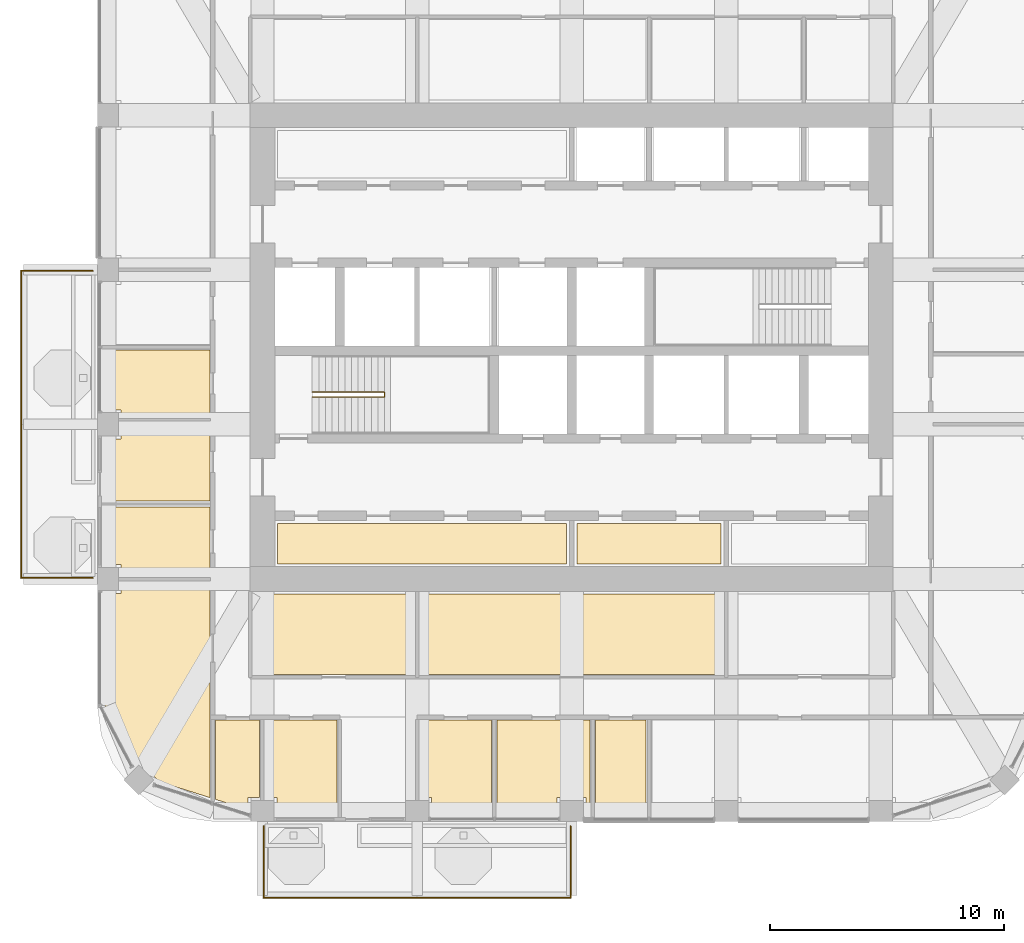
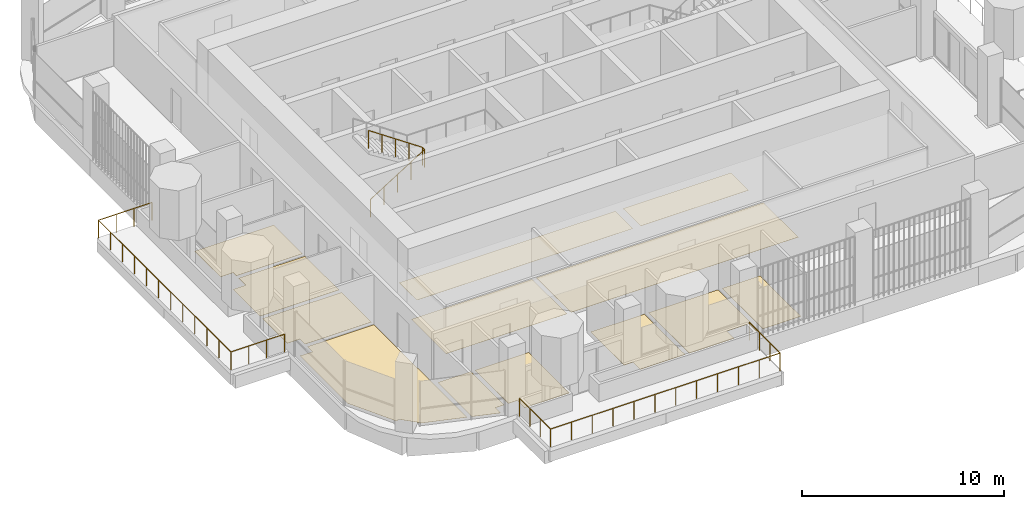
# One storey, part 16 of 19: 13 coverings, 3 railings.
"""IFC4 building model written with IfcOpenShell, lengths in metres."""

from ifc_helpers import new_model, si_unit, direction, frame, origin, place, context, subcontext, project, spatial, polyline, outline, extrude, material, layer, layer_set, type_object, element, save


model = new_model("IFC4")

# Units and contexts
model_context = context("Model", 3, precision=1e-05, world=origin(), true_north=direction((0.0, 1.0)))
body_context = subcontext(model_context, "Body", "Model", "MODEL_VIEW")
ifc_project = project(units=[si_unit("LENGTHUNIT", "METRE"), si_unit("AREAUNIT", "SQUARE_METRE"), si_unit("VOLUMEUNIT", "CUBIC_METRE"), si_unit("PLANEANGLEUNIT", "RADIAN"), si_unit("MASSUNIT", "GRAM", prefix="KILO")], contexts=[model_context])

# Site, building, storey
site_placement = place(None, origin())
site = spatial("IfcSite", under=ifc_project, at=site_placement, CompositionType="ELEMENT")
building_placement = place(site_placement, origin())
building = spatial("IfcBuilding", under=site, at=building_placement, Name="Cobogo Forest Laboratory Tower", CompositionType="ELEMENT")
storey_placement = place(building_placement, frame((0.0, 0.0, 262.800048828125)))
storey = spatial("IfcBuildingStorey", under=building, at=storey_placement, Name="L60", CompositionType="ELEMENT", Elevation=262.800048828125)

# Railings
ifc_material_1 = material(Name="Laminated glass balustrade", Category="glass")
railing_type_1 = type_object("IfcRailingType", Name="BG1 glass balustrade 1100", PredefinedType="GUARDRAIL", material=ifc_material_1)
railing_1_placement = place(storey_placement, frame((13.25, 2.64990234375, 0.0)))
element("IfcRailing", 1, at=railing_1_placement, inside=storey, type_object=railing_type_1, Name="Balcony balustrade BAL-S1 L60", PredefinedType="GUARDRAIL", context=body_context, shape_type="SweptSolid", body=[
    extrude(outline(polyline([(0.022216796875, 0.00927734375), (0.00927734375, 0.022216796875), (-0.00927734375, 0.022216796875), (-0.022216796875, 0.00927734375), (-0.022216796875, -0.00927734375), (-0.00927734375, -0.022216796875), (0.00927734375, -0.022216796875), (0.022216796875, -0.00927734375), (0.022216796875, 0.00927734375)])), frame((0.0, 0.0, 1.077880859375), z_axis=(0.0, -1.0, 0.0), x_axis=(1.0, 0.0, 0.0)), (0.0, 0.0, 1.0), 3.0498046875),
    extrude(outline(polyline([(0.022216796875, 0.00927734375), (0.00927734375, 0.022216796875), (-0.00927734375, 0.022216796875), (-0.022216796875, 0.00927734375), (-0.022216796875, -0.00927734375), (-0.00927734375, -0.022216796875), (0.00927734375, -0.022216796875), (0.022216796875, -0.00927734375), (0.022216796875, 0.00927734375)])), frame((0.0, -3.0498046875, 1.077880859375), z_axis=(1.0, 0.0, 0.0), x_axis=(0.0, 1.0, 0.0)), (0.0, 0.0, 1.0), 13.10009765625),
    extrude(outline(polyline([(0.022216796875, 0.00927734375), (0.00927734375, 0.022216796875), (-0.00927734375, 0.022216796875), (-0.022216796875, 0.00927734375), (-0.022216796875, -0.00927734375), (-0.00927734375, -0.022216796875), (0.00927734375, -0.022216796875), (0.022216796875, -0.00927734375), (0.022216796875, 0.00927734375)])), frame((13.10009765625, -3.0498046875, 1.077880859375), z_axis=(0.0, 1.0, 0.0), x_axis=(-1.0, 0.0, 0.0)), (0.0, 0.0, 1.0), 3.0498046875),
    extrude(outline(polyline([(0.019287109375, 0.008056640625), (0.008056640625, 0.019287109375), (-0.008056640625, 0.019287109375), (-0.019287109375, 0.008056640625), (-0.019287109375, -0.008056640625), (-0.008056640625, -0.019287109375), (0.008056640625, -0.019287109375), (0.019287109375, -0.008056640625), (0.019287109375, 0.008056640625)])), origin(), (0.0, 0.0, 1.0), 1.077880859375),
    extrude(outline(polyline([(0.019287109375, 0.008056640625), (0.008056640625, 0.019287109375), (-0.008056640625, 0.019287109375), (-0.019287109375, 0.008056640625), (-0.019287109375, -0.008056640625), (-0.008056640625, -0.019287109375), (0.008056640625, -0.019287109375), (0.019287109375, -0.008056640625), (0.019287109375, 0.008056640625)])), frame((0.0, -1.0166015625, 0.0)), (0.0, 0.0, 1.0), 1.077880859375),
    extrude(outline(polyline([(0.019287109375, 0.008056640625), (0.008056640625, 0.019287109375), (-0.008056640625, 0.019287109375), (-0.019287109375, 0.008056640625), (-0.019287109375, -0.008056640625), (-0.008056640625, -0.019287109375), (0.008056640625, -0.019287109375), (0.019287109375, -0.008056640625), (0.019287109375, 0.008056640625)])), frame((0.0, -2.033203125, 0.0)), (0.0, 0.0, 1.0), 1.077880859375),
    extrude(outline(polyline([(0.019287109375, 0.008056640625), (0.008056640625, 0.019287109375), (-0.008056640625, 0.019287109375), (-0.019287109375, 0.008056640625), (-0.019287109375, -0.008056640625), (-0.008056640625, -0.019287109375), (0.008056640625, -0.019287109375), (0.019287109375, -0.008056640625), (0.019287109375, 0.008056640625)])), frame((0.0, -3.0498046875, 0.0)), (0.0, 0.0, 1.0), 1.077880859375),
    extrude(outline(polyline([(0.019287109375, 0.008056640625), (0.008056640625, 0.019287109375), (-0.008056640625, 0.019287109375), (-0.019287109375, 0.008056640625), (-0.019287109375, -0.008056640625), (-0.008056640625, -0.019287109375), (0.008056640625, -0.019287109375), (0.019287109375, -0.008056640625), (0.019287109375, 0.008056640625)])), frame((1.19091796875, -3.0498046875, 0.0)), (0.0, 0.0, 1.0), 1.077880859375),
    extrude(outline(polyline([(0.019287109375, 0.008056640625), (0.008056640625, 0.019287109375), (-0.008056640625, 0.019287109375), (-0.019287109375, 0.008056640625), (-0.019287109375, -0.008056640625), (-0.008056640625, -0.019287109375), (0.008056640625, -0.019287109375), (0.019287109375, -0.008056640625), (0.019287109375, 0.008056640625)])), frame((2.3818359375, -3.0498046875, 0.0)), (0.0, 0.0, 1.0), 1.077880859375),
    extrude(outline(polyline([(0.019287109375, 0.008056640625), (0.008056640625, 0.019287109375), (-0.008056640625, 0.019287109375), (-0.019287109375, 0.008056640625), (-0.019287109375, -0.008056640625), (-0.008056640625, -0.019287109375), (0.008056640625, -0.019287109375), (0.019287109375, -0.008056640625), (0.019287109375, 0.008056640625)])), frame((3.57275390625, -3.0498046875, 0.0)), (0.0, 0.0, 1.0), 1.077880859375),
    extrude(outline(polyline([(0.019287109375, 0.008056640625), (0.008056640625, 0.019287109375), (-0.008056640625, 0.019287109375), (-0.019287109375, 0.008056640625), (-0.019287109375, -0.008056640625), (-0.008056640625, -0.019287109375), (0.008056640625, -0.019287109375), (0.019287109375, -0.008056640625), (0.019287109375, 0.008056640625)])), frame((4.763671875, -3.0498046875, 0.0)), (0.0, 0.0, 1.0), 1.077880859375),
    extrude(outline(polyline([(0.019287109375, 0.008056640625), (0.008056640625, 0.019287109375), (-0.008056640625, 0.019287109375), (-0.019287109375, 0.008056640625), (-0.019287109375, -0.008056640625), (-0.008056640625, -0.019287109375), (0.008056640625, -0.019287109375), (0.019287109375, -0.008056640625), (0.019287109375, 0.008056640625)])), frame((5.95458984375, -3.0498046875, 0.0)), (0.0, 0.0, 1.0), 1.077880859375),
    extrude(outline(polyline([(0.019287109375, 0.008056640625), (0.008056640625, 0.019287109375), (-0.008056640625, 0.019287109375), (-0.019287109375, 0.008056640625), (-0.019287109375, -0.008056640625), (-0.008056640625, -0.019287109375), (0.008056640625, -0.019287109375), (0.019287109375, -0.008056640625), (0.019287109375, 0.008056640625)])), frame((7.1455078125, -3.0498046875, 0.0)), (0.0, 0.0, 1.0), 1.077880859375),
    extrude(outline(polyline([(0.019287109375, 0.008056640625), (0.008056640625, 0.019287109375), (-0.008056640625, 0.019287109375), (-0.019287109375, 0.008056640625), (-0.019287109375, -0.008056640625), (-0.008056640625, -0.019287109375), (0.008056640625, -0.019287109375), (0.019287109375, -0.008056640625), (0.019287109375, 0.008056640625)])), frame((8.33642578125, -3.0498046875, 0.0)), (0.0, 0.0, 1.0), 1.077880859375),
    extrude(outline(polyline([(0.019287109375, 0.008056640625), (0.008056640625, 0.019287109375), (-0.008056640625, 0.019287109375), (-0.019287109375, 0.008056640625), (-0.019287109375, -0.008056640625), (-0.008056640625, -0.019287109375), (0.008056640625, -0.019287109375), (0.019287109375, -0.008056640625), (0.019287109375, 0.008056640625)])), frame((9.52734375, -3.0498046875, 0.0)), (0.0, 0.0, 1.0), 1.077880859375),
    extrude(outline(polyline([(0.019287109375, 0.008056640625), (0.008056640625, 0.019287109375), (-0.008056640625, 0.019287109375), (-0.019287109375, 0.008056640625), (-0.019287109375, -0.008056640625), (-0.008056640625, -0.019287109375), (0.008056640625, -0.019287109375), (0.019287109375, -0.008056640625), (0.019287109375, 0.008056640625)])), frame((10.71826171875, -3.0498046875, 0.0)), (0.0, 0.0, 1.0), 1.077880859375),
    extrude(outline(polyline([(0.019287109375, 0.008056640625), (0.008056640625, 0.019287109375), (-0.008056640625, 0.019287109375), (-0.019287109375, 0.008056640625), (-0.019287109375, -0.008056640625), (-0.008056640625, -0.019287109375), (0.008056640625, -0.019287109375), (0.019287109375, -0.008056640625), (0.019287109375, 0.008056640625)])), frame((11.9091796875, -3.0498046875, 0.0)), (0.0, 0.0, 1.0), 1.077880859375),
    extrude(outline(polyline([(0.019287109375, 0.008056640625), (0.008056640625, 0.019287109375), (-0.008056640625, 0.019287109375), (-0.019287109375, 0.008056640625), (-0.019287109375, -0.008056640625), (-0.008056640625, -0.019287109375), (0.008056640625, -0.019287109375), (0.019287109375, -0.008056640625), (0.019287109375, 0.008056640625)])), frame((13.10009765625, -3.0498046875, 0.0)), (0.0, 0.0, 1.0), 1.077880859375),
    extrude(outline(polyline([(0.019287109375, 0.008056640625), (0.008056640625, 0.019287109375), (-0.008056640625, 0.019287109375), (-0.019287109375, 0.008056640625), (-0.019287109375, -0.008056640625), (-0.008056640625, -0.019287109375), (0.008056640625, -0.019287109375), (0.019287109375, -0.008056640625), (0.019287109375, 0.008056640625)])), frame((13.10009765625, -2.033203125, 0.0)), (0.0, 0.0, 1.0), 1.077880859375),
    extrude(outline(polyline([(0.019287109375, 0.008056640625), (0.008056640625, 0.019287109375), (-0.008056640625, 0.019287109375), (-0.019287109375, 0.008056640625), (-0.019287109375, -0.008056640625), (-0.008056640625, -0.019287109375), (0.008056640625, -0.019287109375), (0.019287109375, -0.008056640625), (0.019287109375, 0.008056640625)])), frame((13.10009765625, -1.0166015625, 0.0)), (0.0, 0.0, 1.0), 1.077880859375),
    extrude(outline(polyline([(0.019287109375, 0.008056640625), (0.008056640625, 0.019287109375), (-0.008056640625, 0.019287109375), (-0.019287109375, 0.008056640625), (-0.019287109375, -0.008056640625), (-0.008056640625, -0.019287109375), (0.008056640625, -0.019287109375), (0.019287109375, -0.008056640625), (0.019287109375, 0.008056640625)])), frame((13.10009765625, 0.0, 0.0)), (0.0, 0.0, 1.0), 1.077880859375),
])
railing_2_placement = place(storey_placement, frame((5.949951171875, 13.25, 0.0)))
element("IfcRailing", 2, at=railing_2_placement, inside=storey, type_object=railing_type_1, Name="Balcony balustrade BAL-W1 L60", PredefinedType="GUARDRAIL", context=body_context, shape_type="SweptSolid", body=[
    extrude(outline(polyline([(0.022216796875, 0.00927734375), (0.00927734375, 0.022216796875), (-0.00927734375, 0.022216796875), (-0.022216796875, 0.00927734375), (-0.022216796875, -0.00927734375), (-0.00927734375, -0.022216796875), (0.00927734375, -0.022216796875), (0.022216796875, -0.00927734375), (0.022216796875, 0.00927734375)])), frame((0.0, 0.0, 1.077880859375), z_axis=(-1.0, 0.0, 0.0), x_axis=(0.0, -1.0, 0.0)), (0.0, 0.0, 1.0), 3.050048828125),
    extrude(outline(polyline([(0.022216796875, 0.00927734375), (0.00927734375, 0.022216796875), (-0.00927734375, 0.022216796875), (-0.022216796875, 0.00927734375), (-0.022216796875, -0.00927734375), (-0.00927734375, -0.022216796875), (0.00927734375, -0.022216796875), (0.022216796875, -0.00927734375), (0.022216796875, 0.00927734375)])), frame((-3.050048828125, 0.0, 1.077880859375), z_axis=(0.0, 1.0, 0.0), x_axis=(-1.0, 0.0, 0.0)), (0.0, 0.0, 1.0), 13.10009765625),
    extrude(outline(polyline([(0.022216796875, 0.00927734375), (0.00927734375, 0.022216796875), (-0.00927734375, 0.022216796875), (-0.022216796875, 0.00927734375), (-0.022216796875, -0.00927734375), (-0.00927734375, -0.022216796875), (0.00927734375, -0.022216796875), (0.022216796875, -0.00927734375), (0.022216796875, 0.00927734375)])), frame((-3.050048828125, 13.10009765625, 1.077880859375), z_axis=(1.0, 0.0, 0.0), x_axis=(0.0, 1.0, 0.0)), (0.0, 0.0, 1.0), 3.050048828125),
    extrude(outline(polyline([(0.019287109375, 0.008056640625), (0.008056640625, 0.019287109375), (-0.008056640625, 0.019287109375), (-0.019287109375, 0.008056640625), (-0.019287109375, -0.008056640625), (-0.008056640625, -0.019287109375), (0.008056640625, -0.019287109375), (0.019287109375, -0.008056640625), (0.019287109375, 0.008056640625)])), origin(), (0.0, 0.0, 1.0), 1.077880859375),
    extrude(outline(polyline([(0.019287109375, 0.008056640625), (0.008056640625, 0.019287109375), (-0.008056640625, 0.019287109375), (-0.019287109375, 0.008056640625), (-0.019287109375, -0.008056640625), (-0.008056640625, -0.019287109375), (0.008056640625, -0.019287109375), (0.019287109375, -0.008056640625), (0.019287109375, 0.008056640625)])), frame((-1.0166015625, 0.0, 0.0)), (0.0, 0.0, 1.0), 1.077880859375),
    extrude(outline(polyline([(0.019287109375, 0.008056640625), (0.008056640625, 0.019287109375), (-0.008056640625, 0.019287109375), (-0.019287109375, 0.008056640625), (-0.019287109375, -0.008056640625), (-0.008056640625, -0.019287109375), (0.008056640625, -0.019287109375), (0.019287109375, -0.008056640625), (0.019287109375, 0.008056640625)])), frame((-2.033447265625, 0.0, 0.0)), (0.0, 0.0, 1.0), 1.077880859375),
    extrude(outline(polyline([(0.019287109375, 0.008056640625), (0.008056640625, 0.019287109375), (-0.008056640625, 0.019287109375), (-0.019287109375, 0.008056640625), (-0.019287109375, -0.008056640625), (-0.008056640625, -0.019287109375), (0.008056640625, -0.019287109375), (0.019287109375, -0.008056640625), (0.019287109375, 0.008056640625)])), frame((-3.050048828125, 0.0, 0.0)), (0.0, 0.0, 1.0), 1.077880859375),
    extrude(outline(polyline([(0.019287109375, 0.008056640625), (0.008056640625, 0.019287109375), (-0.008056640625, 0.019287109375), (-0.019287109375, 0.008056640625), (-0.019287109375, -0.008056640625), (-0.008056640625, -0.019287109375), (0.008056640625, -0.019287109375), (0.019287109375, -0.008056640625), (0.019287109375, 0.008056640625)])), frame((-3.050048828125, 1.19091796875, 0.0)), (0.0, 0.0, 1.0), 1.077880859375),
    extrude(outline(polyline([(0.019287109375, 0.008056640625), (0.008056640625, 0.019287109375), (-0.008056640625, 0.019287109375), (-0.019287109375, 0.008056640625), (-0.019287109375, -0.008056640625), (-0.008056640625, -0.019287109375), (0.008056640625, -0.019287109375), (0.019287109375, -0.008056640625), (0.019287109375, 0.008056640625)])), frame((-3.050048828125, 2.3818359375, 0.0)), (0.0, 0.0, 1.0), 1.077880859375),
    extrude(outline(polyline([(0.019287109375, 0.008056640625), (0.008056640625, 0.019287109375), (-0.008056640625, 0.019287109375), (-0.019287109375, 0.008056640625), (-0.019287109375, -0.008056640625), (-0.008056640625, -0.019287109375), (0.008056640625, -0.019287109375), (0.019287109375, -0.008056640625), (0.019287109375, 0.008056640625)])), frame((-3.050048828125, 3.57275390625, 0.0)), (0.0, 0.0, 1.0), 1.077880859375),
    extrude(outline(polyline([(0.019287109375, 0.008056640625), (0.008056640625, 0.019287109375), (-0.008056640625, 0.019287109375), (-0.019287109375, 0.008056640625), (-0.019287109375, -0.008056640625), (-0.008056640625, -0.019287109375), (0.008056640625, -0.019287109375), (0.019287109375, -0.008056640625), (0.019287109375, 0.008056640625)])), frame((-3.050048828125, 4.763671875, 0.0)), (0.0, 0.0, 1.0), 1.077880859375),
    extrude(outline(polyline([(0.019287109375, 0.008056640625), (0.008056640625, 0.019287109375), (-0.008056640625, 0.019287109375), (-0.019287109375, 0.008056640625), (-0.019287109375, -0.008056640625), (-0.008056640625, -0.019287109375), (0.008056640625, -0.019287109375), (0.019287109375, -0.008056640625), (0.019287109375, 0.008056640625)])), frame((-3.050048828125, 5.95458984375, 0.0)), (0.0, 0.0, 1.0), 1.077880859375),
    extrude(outline(polyline([(0.019287109375, 0.008056640625), (0.008056640625, 0.019287109375), (-0.008056640625, 0.019287109375), (-0.019287109375, 0.008056640625), (-0.019287109375, -0.008056640625), (-0.008056640625, -0.019287109375), (0.008056640625, -0.019287109375), (0.019287109375, -0.008056640625), (0.019287109375, 0.008056640625)])), frame((-3.050048828125, 7.1455078125, 0.0)), (0.0, 0.0, 1.0), 1.077880859375),
    extrude(outline(polyline([(0.019287109375, 0.008056640625), (0.008056640625, 0.019287109375), (-0.008056640625, 0.019287109375), (-0.019287109375, 0.008056640625), (-0.019287109375, -0.008056640625), (-0.008056640625, -0.019287109375), (0.008056640625, -0.019287109375), (0.019287109375, -0.008056640625), (0.019287109375, 0.008056640625)])), frame((-3.050048828125, 8.33642578125, 0.0)), (0.0, 0.0, 1.0), 1.077880859375),
    extrude(outline(polyline([(0.019287109375, 0.008056640625), (0.008056640625, 0.019287109375), (-0.008056640625, 0.019287109375), (-0.019287109375, 0.008056640625), (-0.019287109375, -0.008056640625), (-0.008056640625, -0.019287109375), (0.008056640625, -0.019287109375), (0.019287109375, -0.008056640625), (0.019287109375, 0.008056640625)])), frame((-3.050048828125, 9.52734375, 0.0)), (0.0, 0.0, 1.0), 1.077880859375),
    extrude(outline(polyline([(0.019287109375, 0.008056640625), (0.008056640625, 0.019287109375), (-0.008056640625, 0.019287109375), (-0.019287109375, 0.008056640625), (-0.019287109375, -0.008056640625), (-0.008056640625, -0.019287109375), (0.008056640625, -0.019287109375), (0.019287109375, -0.008056640625), (0.019287109375, 0.008056640625)])), frame((-3.050048828125, 10.71826171875, 0.0)), (0.0, 0.0, 1.0), 1.077880859375),
    extrude(outline(polyline([(0.019287109375, 0.008056640625), (0.008056640625, 0.019287109375), (-0.008056640625, 0.019287109375), (-0.019287109375, 0.008056640625), (-0.019287109375, -0.008056640625), (-0.008056640625, -0.019287109375), (0.008056640625, -0.019287109375), (0.019287109375, -0.008056640625), (0.019287109375, 0.008056640625)])), frame((-3.050048828125, 11.9091796875, 0.0)), (0.0, 0.0, 1.0), 1.077880859375),
    extrude(outline(polyline([(0.019287109375, 0.008056640625), (0.008056640625, 0.019287109375), (-0.008056640625, 0.019287109375), (-0.019287109375, 0.008056640625), (-0.019287109375, -0.008056640625), (-0.008056640625, -0.019287109375), (0.008056640625, -0.019287109375), (0.019287109375, -0.008056640625), (0.019287109375, 0.008056640625)])), frame((-3.050048828125, 13.10009765625, 0.0)), (0.0, 0.0, 1.0), 1.077880859375),
    extrude(outline(polyline([(0.019287109375, 0.008056640625), (0.008056640625, 0.019287109375), (-0.008056640625, 0.019287109375), (-0.019287109375, 0.008056640625), (-0.019287109375, -0.008056640625), (-0.008056640625, -0.019287109375), (0.008056640625, -0.019287109375), (0.019287109375, -0.008056640625), (0.019287109375, 0.008056640625)])), frame((-2.033447265625, 13.10009765625, 0.0)), (0.0, 0.0, 1.0), 1.077880859375),
    extrude(outline(polyline([(0.019287109375, 0.008056640625), (0.008056640625, 0.019287109375), (-0.008056640625, 0.019287109375), (-0.019287109375, 0.008056640625), (-0.019287109375, -0.008056640625), (-0.008056640625, -0.019287109375), (0.008056640625, -0.019287109375), (0.019287109375, -0.008056640625), (0.019287109375, 0.008056640625)])), frame((-1.0166015625, 13.10009765625, 0.0)), (0.0, 0.0, 1.0), 1.077880859375),
    extrude(outline(polyline([(0.019287109375, 0.008056640625), (0.008056640625, 0.019287109375), (-0.008056640625, 0.019287109375), (-0.019287109375, 0.008056640625), (-0.019287109375, -0.008056640625), (-0.008056640625, -0.019287109375), (0.008056640625, -0.019287109375), (0.019287109375, -0.008056640625), (0.019287109375, 0.008056640625)])), frame((0.0, 13.10009765625, 0.0)), (0.0, 0.0, 1.0), 1.077880859375),
])

# Coverings
ifc_material_2 = material(Name="Carpet tile on raised access floor", Category="flooring")
ifc_layer_1 = layer(ifc_material_2, 0.008056640625)
ifc_layer_set_1 = layer_set([ifc_layer_1], Name="CT1 carpet tile floor 8")
covering_type_1 = type_object("IfcCoveringType", Name="CT1 carpet tile floor 8", PredefinedType="FLOORING", material=ifc_layer_set_1)
covering_1_placement = place(storey_placement, origin())
element("IfcCovering", 3, at=covering_1_placement, inside=storey, type_object=covering_type_1, Name="Carpet floor L60-05", PredefinedType="FLOORING", context=body_context, shape_type="SweptSolid", body=[
    extrude(outline(polyline([(19.679931640625, 9.1201171875), (12.794921875, 9.1201171875), (12.794921875, 12.554931640625), (19.679931640625, 12.554931640625), (19.679931640625, 9.1201171875)])), origin(), (0.0, 0.0, 1.0), 0.008056640625),
])
covering_2_placement = place(storey_placement, origin())
element("IfcCovering", 4, at=covering_2_placement, inside=storey, type_object=covering_type_1, Name="Carpet floor L60-06", PredefinedType="FLOORING", context=body_context, shape_type="SweptSolid", body=[
    extrude(outline(polyline([(32.8798828125, 9.1201171875), (19.919921875, 9.1201171875), (19.919921875, 12.554931640625), (32.8798828125, 12.554931640625), (32.8798828125, 9.1201171875)])), origin(), (0.0, 0.0, 1.0), 0.008056640625),
])
covering_3_placement = place(storey_placement, origin())
element("IfcCovering", 5, at=covering_3_placement, inside=storey, type_object=covering_type_1, Name="Carpet floor L60-08", PredefinedType="FLOORING", context=body_context, shape_type="SweptSolid", body=[
    extrude(outline(polyline([(13.080078125, 7.179931640625), (13.080078125, 3.8701171875), (12.580078125, 3.8701171875), (12.580078125, 3.35546875), (11.195068359375, 3.79296875), (11.195068359375, 7.179931640625), (13.080078125, 7.179931640625)])), origin(), (0.0, 0.0, 1.0), 0.008056640625),
])
covering_4_placement = place(storey_placement, origin())
element("IfcCovering", 6, at=covering_4_placement, inside=storey, type_object=covering_type_1, Name="Carpet floor L60-09", PredefinedType="FLOORING", context=body_context, shape_type="SweptSolid", body=[
    extrude(outline(polyline([(16.3798828125, 7.179931640625), (16.3798828125, 3.14990234375), (13.820068359375, 3.14990234375), (13.820068359375, 3.8701171875), (13.320068359375, 3.8701171875), (13.320068359375, 7.179931640625), (16.3798828125, 7.179931640625)])), origin(), (0.0, 0.0, 1.0), 0.008056640625),
])
covering_5_placement = place(storey_placement, origin())
element("IfcCovering", 7, at=covering_5_placement, inside=storey, type_object=covering_type_1, Name="Carpet floor L60-10", PredefinedType="FLOORING", context=body_context, shape_type="SweptSolid", body=[
    extrude(outline(polyline([(22.97998046875, 7.179931640625), (22.97998046875, 3.14990234375), (20.419921875, 3.14990234375), (20.419921875, 3.8701171875), (19.919921875, 3.8701171875), (19.919921875, 7.179931640625), (22.97998046875, 7.179931640625)])), origin(), (0.0, 0.0, 1.0), 0.008056640625),
])
covering_6_placement = place(storey_placement, origin())
element("IfcCovering", 8, at=covering_6_placement, inside=storey, type_object=covering_type_1, Name="Carpet floor L60-11", PredefinedType="FLOORING", context=body_context, shape_type="SweptSolid", body=[
    extrude(outline(polyline([(27.179931640625, 7.179931640625), (27.179931640625, 3.14990234375), (27.02001953125, 3.14990234375), (27.02001953125, 3.8701171875), (25.780029296875, 3.8701171875), (25.780029296875, 3.14990234375), (23.219970703125, 3.14990234375), (23.219970703125, 7.179931640625), (27.179931640625, 7.179931640625)])), origin(), (0.0, 0.0, 1.0), 0.008056640625),
])
covering_7_placement = place(storey_placement, origin())
element("IfcCovering", 9, at=covering_7_placement, inside=storey, type_object=covering_type_1, Name="Carpet floor L60-34", PredefinedType="FLOORING", context=body_context, shape_type="SweptSolid", body=[
    extrude(outline(polyline([(26.179931640625, 13.844970703125), (13.844970703125, 13.844970703125), (13.844970703125, 15.580078125), (26.179931640625, 15.580078125), (26.179931640625, 13.844970703125)])), origin(), (0.0, 0.0, 1.0), 0.008056640625),
])
covering_8_placement = place(storey_placement, origin())
element("IfcCovering", 10, at=covering_8_placement, inside=storey, type_object=covering_type_1, Name="Carpet floor L60-35", PredefinedType="FLOORING", context=body_context, shape_type="SweptSolid", body=[
    extrude(outline(polyline([(32.780029296875, 13.844970703125), (26.6201171875, 13.844970703125), (26.6201171875, 15.580078125), (32.780029296875, 15.580078125), (32.780029296875, 13.844970703125)])), origin(), (0.0, 0.0, 1.0), 0.008056640625),
])

# Railing
ifc_material_3 = material(Name="Steel balustrade", Category="steel")
railing_type_2 = type_object("IfcRailingType", Name="GR stair guard 1100", PredefinedType="GUARDRAIL", material=ifc_material_3)
railing_3_placement = place(storey_placement, frame((15.324951171875, 20.969970703125, 0.175048828125)))
element("IfcRailing", 11, at=railing_3_placement, inside=storey, type_object=railing_type_2, Name="Stair guard ST1 L60", PredefinedType="GUARDRAIL", context=body_context, shape_type="SweptSolid", body=[
    extrude(outline(polyline([(0.022216796875, 0.00927734375), (0.00927734375, 0.022216796875), (-0.00927734375, 0.022216796875), (-0.022216796875, 0.00927734375), (-0.022216796875, -0.00927734375), (-0.00927734375, -0.022216796875), (0.00927734375, -0.022216796875), (0.022216796875, -0.00927734375), (0.022216796875, 0.00927734375)])), frame((0.0, 0.0, 1.077880859375), z_axis=(0.848028513186, 0.0, 0.529950602248), x_axis=(0.0, 1.0, 0.0)), (0.0, 0.0, 1.0), 3.632080078125),
    extrude(outline(polyline([(0.022216796875, 0.00927734375), (0.00927734375, 0.022216796875), (-0.00927734375, 0.022216796875), (-0.022216796875, 0.00927734375), (-0.022216796875, -0.00927734375), (-0.00927734375, -0.022216796875), (0.00927734375, -0.022216796875), (0.022216796875, -0.00927734375), (0.022216796875, 0.00927734375)])), frame((3.080078125, 0.0, 3.002685546875), z_axis=(0.0, 1.0, 0.0), x_axis=(-1.0, 0.0, 0.0)), (0.0, 0.0, 1.0), 0.2099609375),
    extrude(outline(polyline([(0.022216796875, 0.00927734375), (0.00927734375, 0.022216796875), (-0.00927734375, 0.022216796875), (-0.022216796875, 0.00927734375), (-0.022216796875, -0.00927734375), (-0.00927734375, -0.022216796875), (0.00927734375, -0.022216796875), (0.022216796875, -0.00927734375), (0.022216796875, 0.00927734375)])), frame((3.080078125, 0.2099609375, 3.002685546875), z_axis=(-0.826221800596, 0.0, 0.563344953133), x_axis=(0.0, -1.0, 0.0)), (0.0, 0.0, 1.0), 3.72802734375),
    extrude(outline(polyline([(0.019287109375, 0.008056640625), (0.008056640625, 0.019287109375), (-0.008056640625, 0.019287109375), (-0.019287109375, 0.008056640625), (-0.019287109375, -0.008056640625), (-0.008056640625, -0.019287109375), (0.008056640625, -0.019287109375), (0.019287109375, -0.008056640625), (0.019287109375, 0.008056640625)])), origin(), (0.0, 0.0, 1.0), 1.077880859375),
    extrude(outline(polyline([(0.019287109375, 0.008056640625), (0.008056640625, 0.019287109375), (-0.008056640625, 0.019287109375), (-0.019287109375, 0.008056640625), (-0.019287109375, -0.008056640625), (-0.008056640625, -0.019287109375), (0.008056640625, -0.019287109375), (0.019287109375, -0.008056640625), (0.019287109375, 0.008056640625)])), frame((0.77001953125, 0.0, 0.481201171875)), (0.0, 0.0, 1.0), 1.077880859375),
    extrude(outline(polyline([(0.019287109375, 0.008056640625), (0.008056640625, 0.019287109375), (-0.008056640625, 0.019287109375), (-0.019287109375, 0.008056640625), (-0.019287109375, -0.008056640625), (-0.008056640625, -0.019287109375), (0.008056640625, -0.019287109375), (0.019287109375, -0.008056640625), (0.019287109375, 0.008056640625)])), frame((1.5400390625, 0.0, 0.96240234375)), (0.0, 0.0, 1.0), 1.077880859375),
    extrude(outline(polyline([(0.019287109375, 0.008056640625), (0.008056640625, 0.019287109375), (-0.008056640625, 0.019287109375), (-0.019287109375, 0.008056640625), (-0.019287109375, -0.008056640625), (-0.008056640625, -0.019287109375), (0.008056640625, -0.019287109375), (0.019287109375, -0.008056640625), (0.019287109375, 0.008056640625)])), frame((2.31005859375, 0.0, 1.443603515625)), (0.0, 0.0, 1.0), 1.077880859375),
    extrude(outline(polyline([(0.019287109375, 0.008056640625), (0.008056640625, 0.019287109375), (-0.008056640625, 0.019287109375), (-0.019287109375, 0.008056640625), (-0.019287109375, -0.008056640625), (-0.008056640625, -0.019287109375), (0.008056640625, -0.019287109375), (0.019287109375, -0.008056640625), (0.019287109375, 0.008056640625)])), frame((3.080078125, 0.0, 1.9248046875)), (0.0, 0.0, 1.0), 1.077880859375),
    extrude(outline(polyline([(0.019287109375, 0.008056640625), (0.008056640625, 0.019287109375), (-0.008056640625, 0.019287109375), (-0.019287109375, 0.008056640625), (-0.019287109375, -0.008056640625), (-0.008056640625, -0.019287109375), (0.008056640625, -0.019287109375), (0.019287109375, -0.008056640625), (0.019287109375, 0.008056640625)])), frame((3.080078125, 0.2099609375, 1.9248046875)), (0.0, 0.0, 1.0), 1.077880859375),
    extrude(outline(polyline([(0.019287109375, 0.008056640625), (0.008056640625, 0.019287109375), (-0.008056640625, 0.019287109375), (-0.019287109375, 0.008056640625), (-0.019287109375, -0.008056640625), (-0.008056640625, -0.019287109375), (0.008056640625, -0.019287109375), (0.019287109375, -0.008056640625), (0.019287109375, 0.008056640625)])), frame((2.31005859375, 0.2099609375, 2.44970703125)), (0.0, 0.0, 1.0), 1.077880859375),
    extrude(outline(polyline([(0.019287109375, 0.008056640625), (0.008056640625, 0.019287109375), (-0.008056640625, 0.019287109375), (-0.019287109375, 0.008056640625), (-0.019287109375, -0.008056640625), (-0.008056640625, -0.019287109375), (0.008056640625, -0.019287109375), (0.019287109375, -0.008056640625), (0.019287109375, 0.008056640625)])), frame((1.5400390625, 0.2099609375, 2.974853515625)), (0.0, 0.0, 1.0), 1.077880859375),
    extrude(outline(polyline([(0.019287109375, 0.008056640625), (0.008056640625, 0.019287109375), (-0.008056640625, 0.019287109375), (-0.019287109375, 0.008056640625), (-0.019287109375, -0.008056640625), (-0.008056640625, -0.019287109375), (0.008056640625, -0.019287109375), (0.019287109375, -0.008056640625), (0.019287109375, 0.008056640625)])), frame((0.77001953125, 0.2099609375, 3.5)), (0.0, 0.0, 1.0), 1.077880859375),
    extrude(outline(polyline([(0.019287109375, 0.008056640625), (0.008056640625, 0.019287109375), (-0.008056640625, 0.019287109375), (-0.019287109375, 0.008056640625), (-0.019287109375, -0.008056640625), (-0.008056640625, -0.019287109375), (0.008056640625, -0.019287109375), (0.019287109375, -0.008056640625), (0.019287109375, 0.008056640625)])), frame((0.0, 0.2099609375, 4.02490234375)), (0.0, 0.0, 1.0), 1.077880859375),
])

# Coverings
ifc_material_4 = material(Name="Epoxy resin flooring", Category="flooring")
ifc_layer_2 = layer(ifc_material_4, 0.00390625)
ifc_layer_set_2 = layer_set([ifc_layer_2], Name="LF1 epoxy laboratory floor 4")
covering_type_2 = type_object("IfcCoveringType", Name="LF1 epoxy laboratory floor 4", PredefinedType="FLOORING", material=ifc_layer_set_2)
covering_9_placement = place(storey_placement, origin())
element("IfcCovering", 12, at=covering_9_placement, inside=storey, type_object=covering_type_2, Name="Epoxy laboratory floor L60-21", PredefinedType="FLOORING", context=body_context, shape_type="SweptSolid", body=[
    extrude(outline(polyline([(8.68994140625, 4.583984375), (8.72412109375, 4.617919921875), (7.91796875, 5.424072265625), (7.788818359375, 5.294921875), (6.449951171875, 7.84912109375), (6.449951171875, 12.580078125), (7.169921875, 12.580078125), (7.169921875, 13.080078125), (10.955078125, 13.080078125), (10.955078125, 3.86865234375), (8.68994140625, 4.583984375)])), origin(), (0.0, 0.0, 1.0), 0.00390625),
])
ifc_material_5 = material(Name="Ceramic floor tile", Category="flooring")
ifc_layer_3 = layer(ifc_material_5, 0.010009765625)
ifc_layer_set_3 = layer_set([ifc_layer_3], Name="TF1 ceramic tile floor 10")
covering_type_3 = type_object("IfcCoveringType", Name="TF1 ceramic tile floor 10", PredefinedType="FLOORING", material=ifc_layer_set_3)
covering_10_placement = place(storey_placement, origin())
element("IfcCovering", 13, at=covering_10_placement, inside=storey, type_object=covering_type_3, Name="Tile floor L60-12", PredefinedType="FLOORING", context=body_context, shape_type="SweptSolid", body=[
    extrude(outline(polyline([(27.419921875, 7.179931640625), (29.580078125, 7.179931640625), (29.580078125, 3.14990234375), (27.419921875, 3.14990234375), (27.419921875, 7.179931640625)])), origin(), (0.0, 0.0, 1.0), 0.010009765625),
])
covering_11_placement = place(storey_placement, origin())
element("IfcCovering", 14, at=covering_11_placement, inside=storey, type_object=covering_type_3, Name="Tile floor L60-22", PredefinedType="FLOORING", context=body_context, shape_type="SweptSolid", body=[
    extrude(outline(polyline([(10.955078125, 13.320068359375), (7.169921875, 13.320068359375), (7.169921875, 13.820068359375), (6.449951171875, 13.820068359375), (6.449951171875, 16.280029296875), (10.955078125, 16.280029296875), (10.955078125, 13.320068359375)])), origin(), (0.0, 0.0, 1.0), 0.010009765625),
])
covering_12_placement = place(storey_placement, origin())
element("IfcCovering", 15, at=covering_12_placement, inside=storey, type_object=covering_type_3, Name="Tile floor L60-23", PredefinedType="FLOORING", context=body_context, shape_type="SweptSolid", body=[
    extrude(outline(polyline([(10.955078125, 16.52001953125), (6.449951171875, 16.52001953125), (6.449951171875, 19.179931640625), (7.169921875, 19.179931640625), (7.169921875, 19.8798828125), (10.955078125, 19.8798828125), (10.955078125, 16.52001953125)])), origin(), (0.0, 0.0, 1.0), 0.010009765625),
])
covering_13_placement = place(storey_placement, origin())
element("IfcCovering", 16, at=covering_13_placement, inside=storey, type_object=covering_type_3, Name="Tile floor L60-24", PredefinedType="FLOORING", context=body_context, shape_type="SweptSolid", body=[
    extrude(outline(polyline([(10.955078125, 20.1201171875), (7.169921875, 20.1201171875), (7.169921875, 20.419921875), (6.449951171875, 20.419921875), (6.449951171875, 22.97998046875), (10.955078125, 22.97998046875), (10.955078125, 20.1201171875)])), origin(), (0.0, 0.0, 1.0), 0.010009765625),
])

save(model, "model.ifc")
